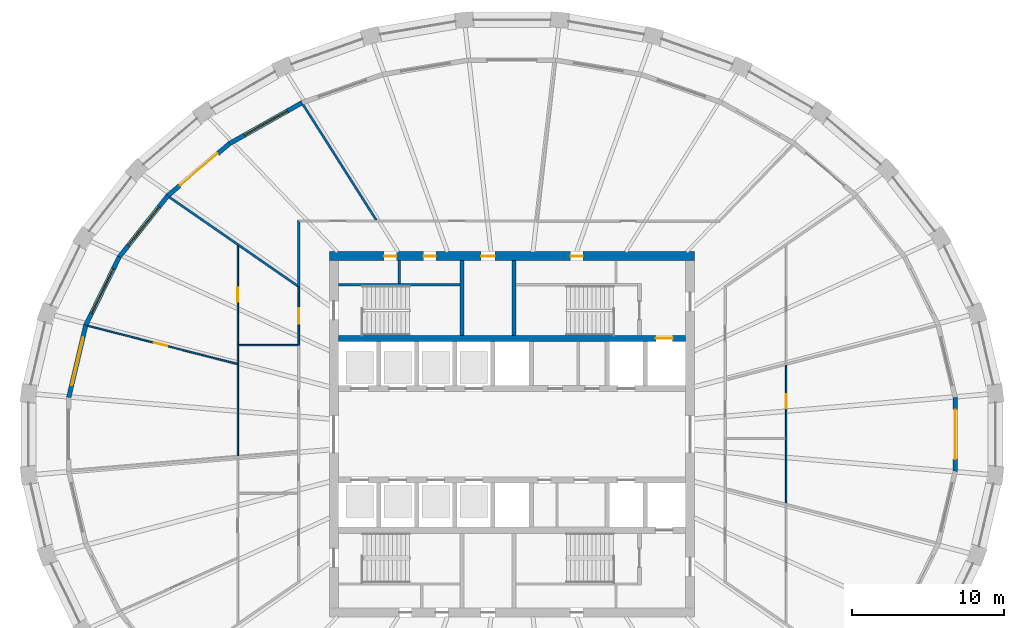
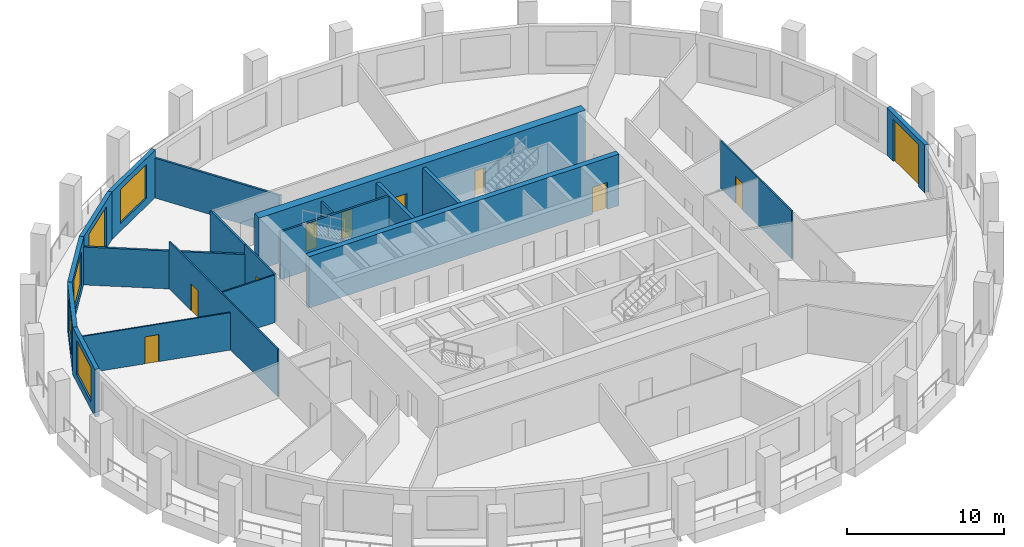
# One storey, part 6 of 11: 20 walls, 11 doors, 4 windows, 15 openings.
"""IFC4 building model written with IfcOpenShell, lengths in metres."""

from ifc_helpers import new_model, si_unit, direction, frame, frame_2d, origin, place, context, subcontext, project, spatial, polyline, rectangle, outline, extrude, material, layer, layer_set, type_object, element, fill, save


model = new_model("IFC4")

# Units and contexts
model_context = context("Model", 3, precision=1e-05, world=origin(), true_north=direction((0.0, 1.0)))
body_context = subcontext(model_context, "Body", "Model", "MODEL_VIEW")
ifc_project = project(units=[si_unit("LENGTHUNIT", "METRE"), si_unit("AREAUNIT", "SQUARE_METRE"), si_unit("VOLUMEUNIT", "CUBIC_METRE"), si_unit("PLANEANGLEUNIT", "RADIAN"), si_unit("MASSUNIT", "GRAM", prefix="KILO")], contexts=[model_context])

# Site, building, storey
site_placement = place(None, origin())
site = spatial("IfcSite", under=ifc_project, at=site_placement, CompositionType="ELEMENT")
building_placement = place(site_placement, origin())
building = spatial("IfcBuilding", under=site, at=building_placement, Name="Halqa Exchange Tower", CompositionType="ELEMENT")
storey_placement = place(building_placement, frame((0.0, 0.0, 214.89990234375)))
storey = spatial("IfcBuildingStorey", under=building, at=storey_placement, Name="L49", CompositionType="ELEMENT", Elevation=214.89990234375)

# Walls
ifc_material_1 = material(Name="Fire-rated gypsum board")
ifc_layer_1 = layer(ifc_material_1, 0.14990234375)
ifc_layer_set_1 = layer_set([ifc_layer_1], Name="Fire-rated gypsum board")
wall_type_1 = type_object("IfcWallType", Name="Fire partition EI 60 150", PredefinedType="PARTITIONING", material=ifc_layer_set_1)
wall_1_placement = place(storey_placement, frame((-22.493896484375, 15.569580078125, 0.0), z_axis=(0.0, 0.0, 1.0), x_axis=(0.822227997751, -0.569158255421, 0.0)))
element("IfcWall", 1, at=wall_1_placement, inside=storey, type_object=wall_type_1, Name="L49-PWL-002", PredefinedType="PARTITIONING", context=body_context, shape_type="SweptSolid", body=[
    extrude(outline(polyline([(0.0, -0.074951171875), (1.858154296875, -0.074951171875), (3.716552734375, -0.074951171875), (5.57470703125, -0.074951171875), (5.5771484375, -0.073486328125), (5.578125, -0.074951171875), (7.1552734375, -0.074951171875), (8.732177734375, -0.074951171875), (10.30908203125, -0.074951171875), (10.30908203125, -0.07470703125), (10.281005859375, -0.0341796875), (10.2685546875, -0.042724609375), (10.240234375, -0.001708984375), (10.240234375, -0.001708984375), (10.187255859375, 0.074951171875), (8.493408203125, 0.074951171875), (6.7998046875, 0.074951171875), (5.10595703125, 0.074951171875), (3.412109375, 0.074951171875), (1.718505859375, 0.074951171875), (0.024658203125, 0.074951171875), (0.00439453125, -0.000244140625), (0.0, -0.06640625), (0.0, -0.074951171875)])), origin(), (0.0, 0.0, 1.0), 2.947021484375),
])
wall_2_placement = place(storey_placement, frame((-14.0, 9.68994140625, 0.0), z_axis=(0.0, 0.0, 1.0), x_axis=(0.0, 1.0, 0.0)))
element("IfcWall", 2, at=wall_2_placement, inside=storey, type_object=wall_type_1, Name="L49-PWL-015", PredefinedType="PARTITIONING", context=body_context, shape_type="SweptSolid", body=[
    extrude(outline(polyline([(0.0, -0.074951171875), (1.41162109375, -0.074951171875), (2.823486328125, -0.074951171875), (4.235107421875, -0.074951171875), (4.385009765625, 0.074951171875), (2.92333984375, 0.074951171875), (1.461669921875, 0.074951171875), (0.0, 0.074951171875), (0.0, -0.074951171875)])), origin(), (0.0, 0.0, 1.0), 3.7001953125),
])
wall_3_placement = place(storey_placement, frame((-8.89208984375, 14.034912109375, 0.0), z_axis=(0.0, 0.0, 1.0), x_axis=(-0.535558051622, 0.84449841524, 0.0)))
element("IfcWall", 3, at=wall_3_placement, inside=storey, type_object=wall_type_1, Name="L49-PWL-018", PredefinedType="PARTITIONING", context=body_context, shape_type="SweptSolid", body=[
    extrude(outline(polyline([(0.0, -0.074951171875), (1.7978515625, -0.074951171875), (3.595458984375, -0.074951171875), (5.393310546875, -0.074951171875), (7.19091796875, -0.074951171875), (8.98876953125, -0.074951171875), (9.006103515625, -0.00048828125), (9.009765625, 0.069091796875), (9.009765625, 0.074951171875), (7.226806640625, 0.074951171875), (5.44384765625, 0.074951171875), (3.660888671875, 0.074951171875), (1.8779296875, 0.074951171875), (0.094970703125, 0.074951171875), (0.0, -0.074951171875), (0.0, -0.074951171875)])), origin(), (0.0, 0.0, 1.0), 3.10009765625),
])

# Wall, opening, door
ifc_material_2 = material(Name="Fire-rated glazing", Category="glass")
ifc_layer_2 = layer(ifc_material_2, 0.1201171875)
ifc_layer_set_2 = layer_set([ifc_layer_2], Name="Fire-rated glazing")
wall_type_2 = type_object("IfcWallType", Name="Glazed fire partition EI 60 120", PredefinedType="PARTITIONING", material=ifc_layer_set_2)
wall_4_placement = place(storey_placement, frame((-14.0, 5.860107421875, 0.0), z_axis=(0.0, 0.0, 1.0), x_axis=(0.0, 1.0, 0.0)))
wall_4 = element("IfcWall", 4, at=wall_4_placement, inside=storey, type_object=wall_type_2, Name="L49-PWL-014", PredefinedType="PARTITIONING", context=body_context, shape_type="SweptSolid", body=[
    extrude(rectangle(XDim=3.829833984375, YDim=0.1201171875, at=frame_2d((1.9150390625, 0.0))), origin(), (0.0, 0.0, 1.0), 3.7001953125),
])
opening_1_placement = place(wall_4_placement, frame((1.4150390625, 0.0, 0.0)))
opening_1 = element("IfcOpeningElement", 5, at=opening_1_placement, cuts=wall_4, Name="Opening 15-04", PredefinedType="OPENING", context=body_context, shape_type="SweptSolid", body=[
    extrude(rectangle(XDim=1.0, YDim=2.10009765625, at=frame_2d((0.5, 1.050048828125))), frame((0.0, 0.072021484375, 0.0), z_axis=(0.0, -1.0, 0.0), x_axis=(1.0, 0.0, 0.0)), (0.0, 0.0, 1.0), 0.14404296875),
])
ifc_material_3 = material(Name="Steel fire door leaf", Category="steel")
door_type_1 = type_object("IfcDoorType", Name="Fire door FD30S 1000 x 2100", OperationType="SINGLE_SWING_LEFT", PredefinedType="DOOR", material=ifc_material_3)
door_1_placement = place(opening_1_placement, origin())
door_1 = element("IfcDoor", 6, at=door_1_placement, inside=storey, type_object=door_type_1, Name="L49-IDR-004", OperationType="SINGLE_SWING_LEFT", OverallHeight=2.10009765625, OverallWidth=1.0, PredefinedType="DOOR", context=body_context, shape_type="SweptSolid", body=[
    extrude(rectangle(XDim=1.0, YDim=2.10009765625, at=frame_2d((0.5, 1.050048828125))), frame((0.0, 0.02490234375, 0.0), z_axis=(0.0, -1.0, 0.0), x_axis=(1.0, 0.0, 0.0)), (0.0, 0.0, 1.0), 0.050048828125),
])
fill(opening_1, door_1)

ifc_material_4 = material(Name="Gypsum board")
ifc_layer_3 = layer(ifc_material_4, 0.10009765625)
ifc_layer_set_3 = layer_set([ifc_layer_3], Name="Gypsum board")
wall_type_3 = type_object("IfcWallType", Name="Partition 100 gypsum", PredefinedType="PARTITIONING", material=ifc_layer_set_3)
wall_5_placement = place(storey_placement, frame((-18.0, -1.41845703125, 0.0), z_axis=(0.0, 0.0, 1.0), x_axis=(0.0, 1.0, 0.0)))
wall_5 = element("IfcWall", 7, at=wall_5_placement, inside=storey, type_object=wall_type_3, Name="L49-PWL-008", PredefinedType="PARTITIONING", context=body_context, shape_type="SweptSolid", body=[
    extrude(outline(polyline([(0.0078125, -0.050048828125), (1.81298828125, -0.050048828125), (3.6181640625, -0.050048828125), (5.42333984375, -0.050048828125), (7.228515625, -0.050048828125), (7.228515625, -0.050048828125), (7.328369140625, -0.050048828125), (7.328369140625, -0.050048828125), (8.934326171875, -0.050048828125), (10.5400390625, -0.050048828125), (12.145751953125, -0.050048828125), (13.75146484375, -0.050048828125), (13.820556640625, 0.0498046875), (13.820556640625, 0.050048828125), (11.888671875, 0.050048828125), (9.956787109375, 0.050048828125), (8.024658203125, 0.050048828125), (6.0927734375, 0.050048828125), (6.09228515625, 0.048095703125), (6.085205078125, 0.050048828125), (4.563720703125, 0.050048828125), (3.04248046875, 0.050048828125), (1.521240234375, 0.050048828125), (0.0, 0.050048828125), (0.0, 0.044677734375), (0.0078125, -0.050048828125)])), origin(), (0.0, 0.0, 1.0), 3.7001953125),
])
opening_2_placement = place(wall_5_placement, frame((10.12841796875, 0.0, 0.0)))
opening_2 = element("IfcOpeningElement", 8, at=opening_2_placement, cuts=wall_5, Name="Opening 15-15", PredefinedType="OPENING", context=body_context, shape_type="SweptSolid", body=[
    extrude(rectangle(XDim=0.89990234375, YDim=2.10009765625, at=frame_2d((0.449951171875, 1.050048828125))), frame((0.0, 0.06201171875, 0.0), z_axis=(0.0, -1.0, 0.0), x_axis=(1.0, 0.0, 0.0)), (0.0, 0.0, 1.0), 0.1240234375),
])
ifc_material_5 = material(Name="Timber door leaf", Category="wood")
door_type_2 = type_object("IfcDoorType", Name="Door 900 x 2100", OperationType="SINGLE_SWING_LEFT", PredefinedType="DOOR", material=ifc_material_5)
door_2_placement = place(opening_2_placement, frame((0.89990234375, 0.0, 0.0), z_axis=(0.0, 0.0, 1.0), x_axis=(-1.0, 0.0, 0.0)))
door_2 = element("IfcDoor", 9, at=door_2_placement, inside=storey, type_object=door_type_2, Name="L49-IDR-015", OperationType="SINGLE_SWING_LEFT", OverallHeight=2.10009765625, OverallWidth=0.89990234375, PredefinedType="DOOR", context=body_context, shape_type="SweptSolid", body=[
    extrude(rectangle(XDim=0.89990234375, YDim=2.10009765625, at=frame_2d((0.449951171875, 1.050048828125))), frame((0.0, 0.02490234375, 0.0), z_axis=(0.0, -1.0, 0.0), x_axis=(1.0, 0.0, 0.0)), (0.0, 0.0, 1.0), 0.050048828125),
])
fill(opening_2, door_2)

wall_6_placement = place(storey_placement, frame((-18.037841796875, 4.61962890625, 0.0), z_axis=(0.0, 0.0, 1.0), x_axis=(-0.96889210833, 0.247483499279, 0.0)))
wall_6 = element("IfcWall", 10, at=wall_6_placement, inside=storey, type_object=wall_type_3, Name="L49-PWL-009", PredefinedType="PARTITIONING", context=body_context, shape_type="SweptSolid", body=[
    extrude(outline(polyline([(0.025390625, -0.050048828125), (1.705810546875, -0.050048828125), (3.38623046875, -0.050048828125), (5.066650390625, -0.050048828125), (6.7470703125, -0.050048828125), (8.427490234375, -0.050048828125), (10.10791015625, -0.050048828125), (10.117431640625, -0.005126953125), (10.117431640625, 0.050048828125), (8.43115234375, 0.050048828125), (6.744873046875, 0.050048828125), (5.05859375, 0.050048828125), (3.37255859375, 0.050048828125), (1.686279296875, 0.050048828125), (0.0, 0.050048828125), (0.0, 0.049072265625), (0.025390625, -0.050048828125)])), origin(), (0.0, 0.0, 1.0), 2.91015625),
])
opening_3_placement = place(wall_6_placement, frame((4.743896484375, 0.0, 0.0)))
opening_3 = element("IfcOpeningElement", 11, at=opening_3_placement, cuts=wall_6, Name="Opening 15-16", PredefinedType="OPENING", context=body_context, shape_type="SweptSolid", body=[
    extrude(rectangle(XDim=0.89990234375, YDim=2.10009765625, at=frame_2d((0.449951171875, 1.050048828125))), frame((0.0, 0.06201171875, 0.0), z_axis=(0.0, -1.0, 0.0), x_axis=(1.0, 0.0, 0.0)), (0.0, 0.0, 1.0), 0.1240234375),
])
door_3_placement = place(opening_3_placement, frame((0.89990234375, 0.0, 0.0), z_axis=(0.0, 0.0, 1.0), x_axis=(-1.0, 0.0, 0.0)))
door_3 = element("IfcDoor", 12, at=door_3_placement, inside=storey, type_object=door_type_2, Name="L49-IDR-016", OperationType="SINGLE_SWING_LEFT", OverallHeight=2.10009765625, OverallWidth=0.89990234375, PredefinedType="DOOR", context=body_context, shape_type="SweptSolid", body=[
    extrude(rectangle(XDim=0.89990234375, YDim=2.10009765625, at=frame_2d((0.449951171875, 1.050048828125))), frame((0.0, 0.02490234375, 0.0), z_axis=(0.0, -1.0, 0.0), x_axis=(1.0, 0.0, 0.0)), (0.0, 0.0, 1.0), 0.050048828125),
])
fill(opening_3, door_3)

# Wall
wall_7_placement = place(storey_placement, frame((-14.060546875, 5.860107421875, 0.0), z_axis=(0.0, 0.0, 1.0), x_axis=(-1.0, 0.0, 0.0)))
element("IfcWall", 13, at=wall_7_placement, inside=storey, type_object=wall_type_3, Name="L49-PWL-013", PredefinedType="PARTITIONING", context=body_context, shape_type="SweptSolid", body=[
    extrude(outline(polyline([(3.889404296875, 0.050048828125), (1.951904296875, 0.050048828125), (0.014404296875, 0.050048828125), (0.014404296875, 0.0), (0.0, 0.0), (0.0, -0.050048828125), (1.94482421875, -0.050048828125), (3.889404296875, -0.050048828125), (3.889404296875, 0.050048828125)])), origin(), (0.0, 0.0, 1.0), 3.7001953125),
])

# Wall, opening, door
wall_8_placement = place(storey_placement, frame((18.0, -4.534912109375, 0.0), z_axis=(0.0, 0.0, 1.0), x_axis=(0.0, 1.0, 0.0)))
wall_8 = element("IfcWall", 14, at=wall_8_placement, inside=storey, type_object=wall_type_3, Name="L49-PWL-036", PredefinedType="PARTITIONING", context=body_context, shape_type="SweptSolid", body=[
    extrude(outline(polyline([(9.079833984375, -0.050048828125), (9.079833984375, -0.04833984375), (9.059814453125, 0.02978515625), (9.079833984375, 0.034912109375), (9.079833984375, 0.036376953125), (9.050048828125, 0.02880859375), (9.044677734375, 0.050048828125), (7.471435546875, 0.050048828125), (5.898193359375, 0.050048828125), (4.324951171875, 0.050048828125), (4.324951171875, 0.050048828125), (4.224853515625, 0.050048828125), (4.224853515625, 0.050048828125), (2.824951171875, 0.050048828125), (1.425048828125, 0.050048828125), (0.025146484375, 0.050048828125), (0.0, -0.04833984375), (0.0, -0.050048828125), (1.81591796875, -0.050048828125), (3.6318359375, -0.050048828125), (5.447998046875, -0.050048828125), (7.263916015625, -0.050048828125), (9.079833984375, -0.050048828125)])), origin(), (0.0, 0.0, 1.0), 3.7001953125),
])
opening_4_placement = place(wall_8_placement, frame((6.2548828125, 0.0, 0.0)))
opening_4 = element("IfcOpeningElement", 15, at=opening_4_placement, cuts=wall_8, Name="Opening 15-21", PredefinedType="OPENING", context=body_context, shape_type="SweptSolid", body=[
    extrude(rectangle(XDim=0.89990234375, YDim=2.10009765625, at=frame_2d((0.449951171875, 1.050048828125))), frame((0.0, 0.06201171875, 0.0), z_axis=(0.0, -1.0, 0.0), x_axis=(1.0, 0.0, 0.0)), (0.0, 0.0, 1.0), 0.1240234375),
])
door_4_placement = place(opening_4_placement, origin())
door_4 = element("IfcDoor", 16, at=door_4_placement, inside=storey, type_object=door_type_2, Name="L49-IDR-021", OperationType="SINGLE_SWING_RIGHT", OverallHeight=2.10009765625, OverallWidth=0.89990234375, PredefinedType="DOOR", context=body_context, shape_type="SweptSolid", body=[
    extrude(rectangle(XDim=0.89990234375, YDim=2.10009765625, at=frame_2d((0.449951171875, 1.050048828125))), frame((0.0, 0.02490234375, 0.0), z_axis=(0.0, -1.0, 0.0), x_axis=(1.0, 0.0, 0.0)), (0.0, 0.0, 1.0), 0.050048828125),
])
fill(opening_4, door_4)

# Wall
ifc_layer_4 = layer(ifc_material_4, 0.14990234375)
ifc_layer_set_4 = layer_set([ifc_layer_4], Name="Gypsum board")
wall_type_4 = type_object("IfcWallType", Name="Penthouse riser wall 150 gypsum", PredefinedType="PARTITIONING", material=ifc_layer_set_4)
wall_9_placement = place(storey_placement, frame((-7.39990234375, 9.89990234375, 0.0), z_axis=(0.0, 0.0, 1.0), x_axis=(0.0, 1.0, 0.0)))
element("IfcWall", 17, at=wall_9_placement, inside=storey, type_object=wall_type_4, Name="Partition W7.400 N", PredefinedType="PARTITIONING", context=body_context, shape_type="SweptSolid", body=[
    extrude(rectangle(XDim=1.5, YDim=0.14990234375, at=frame_2d((0.75, 0.0))), origin(), (0.0, 0.0, 1.0), 3.7001953125),
])

# Wall, opening, door
ifc_material_6 = material(Name="Concrete C70/85", Category="concrete")
ifc_layer_5 = layer(ifc_material_6, 0.39990234375)
ifc_layer_set_5 = layer_set([ifc_layer_5], Name="Concrete C70/85")
wall_type_5 = type_object("IfcWallType", Name="RC core wall 400 C70/85", PredefinedType="SHEAR", material=ifc_layer_set_5)
wall_10_placement = place(storey_placement, frame((-11.39990234375, 6.300048828125, 0.0), z_axis=(0.0, 0.0, 1.0), x_axis=(1.0, 0.0, 0.0)))
wall_10 = element("IfcWall", 18, at=wall_10_placement, inside=storey, type_object=wall_type_5, Name="Lift row back wall N", PredefinedType="SHEAR", context=body_context, shape_type="SweptSolid", body=[
    extrude(rectangle(XDim=22.7998046875, YDim=0.39990234375, at=frame_2d((11.39990234375, 0.0))), origin(), (0.0, 0.0, 1.0), 4.0),
])
opening_5_placement = place(wall_10_placement, frame((20.85009765625, 0.0, 0.0)))
opening_5 = element("IfcOpeningElement", 19, at=opening_5_placement, cuts=wall_10, Name="Opening LD-FF1-T15", PredefinedType="OPENING", context=body_context, shape_type="SweptSolid", body=[
    extrude(rectangle(XDim=1.10009765625, YDim=2.10009765625, at=frame_2d((0.550048828125, 1.050048828125))), frame((0.0, 0.2119140625, 0.0), z_axis=(0.0, -1.0, 0.0), x_axis=(1.0, 0.0, 0.0)), (0.0, 0.0, 1.0), 0.423828125),
])
ifc_material_7 = material(Name="Stainless steel", Category="steel")
door_type_3 = type_object("IfcDoorType", Name="Lift landing door 1100 x 2100", OperationType="SLIDING_TO_LEFT", PredefinedType="DOOR", material=ifc_material_7)
door_5_placement = place(opening_5_placement, origin())
door_5 = element("IfcDoor", 20, at=door_5_placement, inside=storey, type_object=door_type_3, Name="Lift landing door FF1", OperationType="SLIDING_TO_LEFT", OverallHeight=2.10009765625, OverallWidth=1.10009765625, PredefinedType="DOOR", context=body_context, shape_type="SweptSolid", body=[
    extrude(rectangle(XDim=1.10009765625, YDim=2.10009765625, at=frame_2d((0.550048828125, 1.050048828125))), frame((0.0, 0.02490234375, 0.0), z_axis=(0.0, -1.0, 0.0), x_axis=(1.0, 0.0, 0.0)), (0.0, 0.0, 1.0), 0.050048828125),
])
fill(opening_5, door_5)

# Wall, openings, doors
ifc_layer_6 = layer(ifc_material_6, 0.60009765625)
ifc_layer_set_6 = layer_set([ifc_layer_6], Name="Concrete C70/85")
wall_type_6 = type_object("IfcWallType", Name="RC core wall 600 C70/85", PredefinedType="SHEAR", material=ifc_layer_set_6)
wall_11_placement = place(storey_placement, frame((-12.0, 11.699951171875, 0.0), z_axis=(0.0, 0.0, 1.0), x_axis=(1.0, 0.0, 0.0)))
wall_11 = element("IfcWall", 21, at=wall_11_placement, inside=storey, type_object=wall_type_6, Name="Core wall north", PredefinedType="SHEAR", context=body_context, shape_type="SweptSolid", body=[
    extrude(rectangle(XDim=24.0, YDim=0.60009765625, at=frame_2d((12.0, 0.0))), origin(), (0.0, 0.0, 1.0), 4.0),
])
opening_6_placement = place(wall_11_placement, frame((9.97509765625, 0.0, 0.0)))
opening_6 = element("IfcOpeningElement", 22, at=opening_6_placement, cuts=wall_11, Name="Opening T15-C21", PredefinedType="OPENING", context=body_context, shape_type="SweptSolid", body=[
    extrude(rectangle(XDim=0.89990234375, YDim=2.10009765625, at=frame_2d((0.449951171875, 1.050048828125))), frame((0.0, 0.31201171875, 0.0), z_axis=(0.0, -1.0, 0.0), x_axis=(1.0, 0.0, 0.0)), (0.0, 0.0, 1.0), 0.6240234375),
])
opening_7_placement = place(wall_11_placement, frame((3.60009765625, 0.0, 0.0)))
opening_7 = element("IfcOpeningElement", 23, at=opening_7_placement, cuts=wall_11, Name="Opening T15-C22", PredefinedType="OPENING", context=body_context, shape_type="SweptSolid", body=[
    extrude(rectangle(XDim=0.800048828125, YDim=2.10009765625, at=frame_2d((0.39990234375, 1.050048828125))), frame((0.0, 0.31201171875, 0.0), z_axis=(0.0, -1.0, 0.0), x_axis=(1.0, 0.0, 0.0)), (0.0, 0.0, 1.0), 0.6240234375),
])
opening_8_placement = place(wall_11_placement, frame((6.199951171875, 0.0, 0.0)))
opening_8 = element("IfcOpeningElement", 24, at=opening_8_placement, cuts=wall_11, Name="Opening T15-C23", PredefinedType="OPENING", context=body_context, shape_type="SweptSolid", body=[
    extrude(rectangle(XDim=0.800048828125, YDim=2.10009765625, at=frame_2d((0.39990234375, 1.050048828125))), frame((0.0, 0.31201171875, 0.0), z_axis=(0.0, -1.0, 0.0), x_axis=(1.0, 0.0, 0.0)), (0.0, 0.0, 1.0), 0.6240234375),
])
opening_9_placement = place(wall_11_placement, frame((15.85009765625, 0.0, 0.0)))
opening_9 = element("IfcOpeningElement", 25, at=opening_9_placement, cuts=wall_11, Name="Opening T15-C24", PredefinedType="OPENING", context=body_context, shape_type="SweptSolid", body=[
    extrude(rectangle(XDim=0.800048828125, YDim=2.10009765625, at=frame_2d((0.39990234375, 1.050048828125))), frame((0.0, 0.31201171875, 0.0), z_axis=(0.0, -1.0, 0.0), x_axis=(1.0, 0.0, 0.0)), (0.0, 0.0, 1.0), 0.6240234375),
])
ifc_material_8 = material(Name="Timber fire door leaf", Category="wood")
door_type_4 = type_object("IfcDoorType", Name="Core room door FD30 900 x 2100", OperationType="SINGLE_SWING_LEFT", PredefinedType="DOOR", material=ifc_material_8)
door_6_placement = place(opening_6_placement, frame((0.89990234375, 0.0, 0.0), z_axis=(0.0, 0.0, 1.0), x_axis=(-1.0, 0.0, 0.0)))
door_6 = element("IfcDoor", 26, at=door_6_placement, inside=storey, type_object=door_type_4, Name="Core room door", OperationType="SINGLE_SWING_RIGHT", OverallHeight=2.10009765625, OverallWidth=0.89990234375, PredefinedType="DOOR", context=body_context, shape_type="SweptSolid", body=[
    extrude(rectangle(XDim=0.89990234375, YDim=2.10009765625, at=frame_2d((0.449951171875, 1.050048828125))), frame((0.0, 0.02490234375, 0.0), z_axis=(0.0, -1.0, 0.0), x_axis=(1.0, 0.0, 0.0)), (0.0, 0.0, 1.0), 0.050048828125),
])
fill(opening_6, door_6)
door_type_5 = type_object("IfcDoorType", Name="Riser door FD60 800 x 2100", OperationType="SINGLE_SWING_LEFT", PredefinedType="DOOR", material=ifc_material_3)
door_7_placement = place(opening_7_placement, frame((0.800048828125, 0.0, 0.0), z_axis=(0.0, 0.0, 1.0), x_axis=(-1.0, 0.0, 0.0)))
door_7 = element("IfcDoor", 27, at=door_7_placement, inside=storey, type_object=door_type_5, Name="Core room door", OperationType="SINGLE_SWING_RIGHT", OverallHeight=2.10009765625, OverallWidth=0.800048828125, PredefinedType="DOOR", context=body_context, shape_type="SweptSolid", body=[
    extrude(rectangle(XDim=0.800048828125, YDim=2.10009765625, at=frame_2d((0.39990234375, 1.050048828125))), frame((0.0, 0.02490234375, 0.0), z_axis=(0.0, -1.0, 0.0), x_axis=(1.0, 0.0, 0.0)), (0.0, 0.0, 1.0), 0.050048828125),
])
fill(opening_7, door_7)
door_8_placement = place(opening_8_placement, frame((0.800048828125, 0.0, 0.0), z_axis=(0.0, 0.0, 1.0), x_axis=(-1.0, 0.0, 0.0)))
door_8 = element("IfcDoor", 28, at=door_8_placement, inside=storey, type_object=door_type_5, Name="Core room door", OperationType="SINGLE_SWING_RIGHT", OverallHeight=2.10009765625, OverallWidth=0.800048828125, PredefinedType="DOOR", context=body_context, shape_type="SweptSolid", body=[
    extrude(rectangle(XDim=0.800048828125, YDim=2.10009765625, at=frame_2d((0.39990234375, 1.050048828125))), frame((0.0, 0.02490234375, 0.0), z_axis=(0.0, -1.0, 0.0), x_axis=(1.0, 0.0, 0.0)), (0.0, 0.0, 1.0), 0.050048828125),
])
fill(opening_8, door_8)
door_9_placement = place(opening_9_placement, frame((0.800048828125, 0.0, 0.0), z_axis=(0.0, 0.0, 1.0), x_axis=(-1.0, 0.0, 0.0)))
door_9 = element("IfcDoor", 29, at=door_9_placement, inside=storey, type_object=door_type_5, Name="Core room door", OperationType="SINGLE_SWING_RIGHT", OverallHeight=2.10009765625, OverallWidth=0.800048828125, PredefinedType="DOOR", context=body_context, shape_type="SweptSolid", body=[
    extrude(rectangle(XDim=0.800048828125, YDim=2.10009765625, at=frame_2d((0.39990234375, 1.050048828125))), frame((0.0, 0.02490234375, 0.0), z_axis=(0.0, -1.0, 0.0), x_axis=(1.0, 0.0, 0.0)), (0.0, 0.0, 1.0), 0.050048828125),
])
fill(opening_9, door_9)

# Walls
ifc_material_9 = material(Name="Concrete C30/37", Category="concrete")
ifc_layer_7 = layer(ifc_material_9, 0.14990234375)
ifc_layer_set_7 = layer_set([ifc_layer_7], Name="Concrete C30/37")
wall_type_7 = type_object("IfcWallType", Name="RC stair wall 150 C30/37", PredefinedType="SHEAR", material=ifc_layer_set_7)
wall_12_placement = place(storey_placement, frame((-11.39990234375, 9.824951171875, 0.0), z_axis=(0.0, 0.0, 1.0), x_axis=(1.0, 0.0, 0.0)))
element("IfcWall", 30, at=wall_12_placement, inside=storey, type_object=wall_type_7, Name="Stair ST1 north wall N", PredefinedType="SHEAR", context=body_context, shape_type="SweptSolid", body=[
    extrude(rectangle(XDim=8.0, YDim=0.14990234375, at=frame_2d((4.0, 0.0))), origin(), (0.0, 0.0, 1.0), 3.7001953125),
])
ifc_layer_8 = layer(ifc_material_9, 0.25)
ifc_layer_set_8 = layer_set([ifc_layer_8], Name="Concrete C30/37")
wall_type_8 = type_object("IfcWallType", Name="RC stair wall 250 C30/37", PredefinedType="SHEAR", material=ifc_layer_set_8)
for number, where, z_axis, x_axis, name in (
    (31, (-3.27490234375, 6.5, 0.0), (0.0, 0.0, 1.0), (0.0, 1.0, 0.0), "Stair ST1 east wall N"),
    (32, (0.125, 6.5, 0.0), (0.0, 0.0, 1.0), (0.0, 1.0, 0.0), "Stair ST2 west wall N"),
):
    element("IfcWall", number, at=place(storey_placement, frame(where, z_axis=z_axis, x_axis=x_axis)), inside=storey, type_object=wall_type_8, Name=name, PredefinedType="SHEAR", context=body_context, shape_type="SweptSolid", body=[
        extrude(rectangle(XDim=4.89990234375, YDim=0.25, at=frame_2d((2.449951171875, 0.0))), origin(), (0.0, 0.0, 1.0), 3.7001953125),
    ])

# Wall, opening, window
ifc_material_10 = material(Name="Limestone cladding", Category="masonry")
ifc_layer_9 = layer(ifc_material_10, 0.0400390625)
ifc_material_11 = material(Name="Ventilated cavity")
ifc_layer_10 = layer(ifc_material_11, 0.030029296875, ventilated=True)
ifc_material_12 = material(Name="Mineral wool insulation")
ifc_layer_11 = layer(ifc_material_12, 0.10009765625)
ifc_layer_12 = layer(ifc_material_9, 0.10009765625)
ifc_material_13 = material(Name="Internal plaster")
ifc_layer_13 = layer(ifc_material_13, 0.030029296875)
ifc_layer_set_9 = layer_set([ifc_layer_9, ifc_layer_10, ifc_layer_11, ifc_layer_12, ifc_layer_13], Name="Stone-faced insulated wall 300")
wall_type_9 = type_object("IfcWallType", Name="Stone-faced insulated wall 300", PredefinedType="STANDARD", material=ifc_layer_set_9)
wall_13_placement = place(storey_placement, frame((-13.777099609375, 21.778076171875, 0.0), z_axis=(0.0, 0.0, 1.0), x_axis=(-0.871207038577, -0.490915772749, 0.0)))
wall_13 = element("IfcWall", 33, at=wall_13_placement, inside=storey, type_object=wall_type_9, Name="Glass-line wall 11", PredefinedType="STANDARD", context=body_context, shape_type="SweptSolid", body=[
    extrude(outline(polyline([(-0.013427734375, -0.14990234375), (5.485107421875, -0.14990234375), (5.456787109375, 0.14990234375), (0.013427734375, 0.14990234375), (-0.013427734375, -0.14990234375)])), origin(), (0.0, 0.0, 1.0), 3.7001953125),
])
opening_10_placement = place(wall_13_placement, frame((1.110595703125, 0.0, 0.60009765625)))
opening_10 = element("IfcOpeningElement", 34, at=opening_10_placement, cuts=wall_13, Name="Opening W-F3-11", PredefinedType="OPENING", context=body_context, shape_type="SweptSolid", body=[
    extrude(rectangle(XDim=3.25, YDim=2.64990234375, at=frame_2d((1.625, 1.324951171875))), frame((0.0, 0.162109375, 0.0), z_axis=(0.0, -1.0, 0.0), x_axis=(1.0, 0.0, 0.0)), (0.0, 0.0, 1.0), 0.323974609375),
])
ifc_material_14 = material(Name="Clear low-emissivity glass in aluminium frame", Category="aluminium")
window_type = type_object("IfcWindowType", Name="Fixed clear glazed window 3250 x 2650", PartitioningType="TRIPLE_PANEL_VERTICAL", PredefinedType="WINDOW", material=ifc_material_14)
window_1_placement = place(opening_10_placement, origin())
window_1 = element("IfcWindow", 35, at=window_1_placement, inside=storey, type_object=window_type, Name="Window 3", OverallHeight=2.64990234375, OverallWidth=3.25, PartitioningType="TRIPLE_PANEL_VERTICAL", PredefinedType="WINDOW", context=body_context, shape_type="SweptSolid", body=[
    extrude(rectangle(XDim=3.25, YDim=2.64990234375, at=frame_2d((1.625, 1.324951171875))), frame((0.0, 0.030029296875, 0.0), z_axis=(0.0, -1.0, 0.0), x_axis=(1.0, 0.0, 0.0)), (0.0, 0.0, 1.0), 0.06005859375),
])
fill(opening_10, window_1)

# Wall, opening, door
wall_14_placement = place(storey_placement, frame((-18.54345703125, 19.09228515625, 0.0), z_axis=(0.0, 0.0, 1.0), x_axis=(-0.764397795062, -0.644744919255, 0.0)))
wall_14 = element("IfcWall", 36, at=wall_14_placement, inside=storey, type_object=wall_type_9, Name="Glass-line wall 12", PredefinedType="STANDARD", context=body_context, shape_type="SweptSolid", body=[
    extrude(outline(polyline([(-0.01416015625, -0.14990234375), (5.3203125, -0.14990234375), (5.2900390625, 0.14990234375), (0.01416015625, 0.14990234375), (-0.01416015625, -0.14990234375)])), origin(), (0.0, 0.0, 1.0), 3.7001953125),
])
opening_11_placement = place(wall_14_placement, frame((1.027587890625, 0.0, 0.0)))
opening_11 = element("IfcOpeningElement", 37, at=opening_11_placement, cuts=wall_14, Name="Opening LG-F3-03", PredefinedType="OPENING", context=body_context, shape_type="SweptSolid", body=[
    extrude(rectangle(XDim=3.25, YDim=3.25, at=frame_2d((1.625, 1.625))), frame((0.0, 0.162109375, 0.0), z_axis=(0.0, -1.0, 0.0), x_axis=(1.0, 0.0, 0.0)), (0.0, 0.0, 1.0), 0.323974609375),
])
door_type_6 = type_object("IfcDoorType", Name="Glazed sliding loggia door 3250 x 3250", OperationType="DOUBLE_DOOR_SLIDING", PredefinedType="DOOR", material=ifc_material_14)
door_10_placement = place(opening_11_placement, origin())
door_10 = element("IfcDoor", 38, at=door_10_placement, inside=storey, type_object=door_type_6, Name="Loggia door 3", OperationType="DOUBLE_DOOR_SLIDING", OverallHeight=3.25, OverallWidth=3.25, PredefinedType="DOOR", context=body_context, shape_type="SweptSolid", body=[
    extrude(rectangle(XDim=3.25, YDim=3.25, at=frame_2d((1.625, 1.625))), frame((0.0, 0.02490234375, 0.0), z_axis=(0.0, -1.0, 0.0), x_axis=(1.0, 0.0, 0.0)), (0.0, 0.0, 1.0), 0.050048828125),
])
fill(opening_11, door_10)

# Wall, opening, window
wall_15_placement = place(storey_placement, frame((-22.5986328125, 15.671875, 0.0), z_axis=(0.0, 0.0, 1.0), x_axis=(-0.621017151557, -0.783796974651, 0.0)))
wall_15 = element("IfcWall", 39, at=wall_15_placement, inside=storey, type_object=wall_type_9, Name="Glass-line wall 13", PredefinedType="STANDARD", context=body_context, shape_type="SweptSolid", body=[
    extrude(outline(polyline([(-0.01513671875, -0.14990234375), (5.14990234375, -0.14990234375), (5.11767578125, 0.14990234375), (0.01513671875, 0.14990234375), (-0.01513671875, -0.14990234375)])), origin(), (0.0, 0.0, 1.0), 3.7001953125),
])
opening_12_placement = place(wall_15_placement, frame((0.94189453125, 0.0, 0.60009765625)))
opening_12 = element("IfcOpeningElement", 40, at=opening_12_placement, cuts=wall_15, Name="Opening W-F3-13", PredefinedType="OPENING", context=body_context, shape_type="SweptSolid", body=[
    extrude(rectangle(XDim=3.25, YDim=2.64990234375, at=frame_2d((1.625, 1.324951171875))), frame((0.0, 0.162109375, 0.0), z_axis=(0.0, -1.0, 0.0), x_axis=(1.0, 0.0, 0.0)), (0.0, 0.0, 1.0), 0.323974609375),
])
window_2_placement = place(opening_12_placement, origin())
window_2 = element("IfcWindow", 41, at=window_2_placement, inside=storey, type_object=window_type, Name="Window 3", OverallHeight=2.64990234375, OverallWidth=3.25, PartitioningType="TRIPLE_PANEL_VERTICAL", PredefinedType="WINDOW", context=body_context, shape_type="SweptSolid", body=[
    extrude(rectangle(XDim=3.25, YDim=2.64990234375, at=frame_2d((1.625, 1.324951171875))), frame((0.0, 0.030029296875, 0.0), z_axis=(0.0, -1.0, 0.0), x_axis=(1.0, 0.0, 0.0)), (0.0, 0.0, 1.0), 0.06005859375),
])
fill(opening_12, window_2)

wall_16_placement = place(storey_placement, frame((-25.786865234375, 11.64794921875, 0.0), z_axis=(0.0, 0.0, 1.0), x_axis=(-0.440795186599, -0.897607711348, 0.0)))
wall_16 = element("IfcWall", 42, at=wall_16_placement, inside=storey, type_object=wall_type_9, Name="Glass-line wall 14", PredefinedType="STANDARD", context=body_context, shape_type="SweptSolid", body=[
    extrude(outline(polyline([(-0.01611328125, -0.14990234375), (5.0009765625, -0.14990234375), (4.96728515625, 0.14990234375), (0.01611328125, 0.14990234375), (-0.01611328125, -0.14990234375)])), origin(), (0.0, 0.0, 1.0), 3.7001953125),
])
opening_13_placement = place(wall_16_placement, frame((0.8671875, 0.0, 0.60009765625)))
opening_13 = element("IfcOpeningElement", 43, at=opening_13_placement, cuts=wall_16, Name="Opening W-F3-14", PredefinedType="OPENING", context=body_context, shape_type="SweptSolid", body=[
    extrude(rectangle(XDim=3.25, YDim=2.64990234375, at=frame_2d((1.625, 1.324951171875))), frame((0.0, 0.162109375, 0.0), z_axis=(0.0, -1.0, 0.0), x_axis=(1.0, 0.0, 0.0)), (0.0, 0.0, 1.0), 0.323974609375),
])
window_3_placement = place(opening_13_placement, origin())
window_3 = element("IfcWindow", 44, at=window_3_placement, inside=storey, type_object=window_type, Name="Window 3", OverallHeight=2.64990234375, OverallWidth=3.25, PartitioningType="TRIPLE_PANEL_VERTICAL", PredefinedType="WINDOW", context=body_context, shape_type="SweptSolid", body=[
    extrude(rectangle(XDim=3.25, YDim=2.64990234375, at=frame_2d((1.625, 1.324951171875))), frame((0.0, 0.030029296875, 0.0), z_axis=(0.0, -1.0, 0.0), x_axis=(1.0, 0.0, 0.0)), (0.0, 0.0, 1.0), 0.06005859375),
])
fill(opening_13, window_3)

wall_17_placement = place(storey_placement, frame((-27.98388671875, 7.174072265625, 0.0), z_axis=(0.0, 0.0, 1.0), x_axis=(-0.229546618766, -0.97329766763, 0.0)))
wall_17 = element("IfcWall", 45, at=wall_17_placement, inside=storey, type_object=wall_type_9, Name="Glass-line wall 15", PredefinedType="STANDARD", context=body_context, shape_type="SweptSolid", body=[
    extrude(outline(polyline([(-0.016845703125, -0.14990234375), (4.899169921875, -0.14990234375), (4.864501953125, 0.14990234375), (0.016845703125, 0.14990234375), (-0.016845703125, -0.14990234375)])), origin(), (0.0, 0.0, 1.0), 3.7001953125),
])
opening_14_placement = place(wall_17_placement, frame((0.81591796875, 0.0, 0.60009765625)))
opening_14 = element("IfcOpeningElement", 46, at=opening_14_placement, cuts=wall_17, Name="Opening W-F3-15", PredefinedType="OPENING", context=body_context, shape_type="SweptSolid", body=[
    extrude(rectangle(XDim=3.25, YDim=2.64990234375, at=frame_2d((1.625, 1.324951171875))), frame((0.0, 0.162109375, 0.0), z_axis=(0.0, -1.0, 0.0), x_axis=(1.0, 0.0, 0.0)), (0.0, 0.0, 1.0), 0.323974609375),
])
window_4_placement = place(opening_14_placement, origin())
window_4 = element("IfcWindow", 47, at=window_4_placement, inside=storey, type_object=window_type, Name="Window 3", OverallHeight=2.64990234375, OverallWidth=3.25, PartitioningType="TRIPLE_PANEL_VERTICAL", PredefinedType="WINDOW", context=body_context, shape_type="SweptSolid", body=[
    extrude(rectangle(XDim=3.25, YDim=2.64990234375, at=frame_2d((1.625, 1.324951171875))), frame((0.0, 0.030029296875, 0.0), z_axis=(0.0, -1.0, 0.0), x_axis=(1.0, 0.0, 0.0)), (0.0, 0.0, 1.0), 0.06005859375),
])
fill(opening_14, window_4)

# Wall, opening, door
wall_18_placement = place(storey_placement, frame((29.1044921875, -2.422607421875, 0.0), z_axis=(0.0, 0.0, 1.0), x_axis=(0.0, 1.0, 0.0)))
wall_18 = element("IfcWall", 48, at=wall_18_placement, inside=storey, type_object=wall_type_9, Name="Glass-line wall 32", PredefinedType="STANDARD", context=body_context, shape_type="SweptSolid", body=[
    extrude(outline(polyline([(-0.017333984375, -0.14990234375), (4.862548828125, -0.14990234375), (4.827880859375, 0.14990234375), (0.017333984375, 0.14990234375), (-0.017333984375, -0.14990234375)])), origin(), (0.0, 0.0, 1.0), 3.7001953125),
])
opening_15_placement = place(wall_18_placement, frame((0.797607421875, 0.0, 0.0)))
opening_15 = element("IfcOpeningElement", 49, at=opening_15_placement, cuts=wall_18, Name="Opening LG-F3-08", PredefinedType="OPENING", context=body_context, shape_type="SweptSolid", body=[
    extrude(rectangle(XDim=3.25, YDim=3.25, at=frame_2d((1.625, 1.625))), frame((0.0, 0.162109375, 0.0), z_axis=(0.0, -1.0, 0.0), x_axis=(1.0, 0.0, 0.0)), (0.0, 0.0, 1.0), 0.323974609375),
])
door_11_placement = place(opening_15_placement, origin())
door_11 = element("IfcDoor", 50, at=door_11_placement, inside=storey, type_object=door_type_6, Name="Loggia door 8", OperationType="DOUBLE_DOOR_SLIDING", OverallHeight=3.25, OverallWidth=3.25, PredefinedType="DOOR", context=body_context, shape_type="SweptSolid", body=[
    extrude(rectangle(XDim=3.25, YDim=3.25, at=frame_2d((1.625, 1.625))), frame((0.0, 0.02490234375, 0.0), z_axis=(0.0, -1.0, 0.0), x_axis=(1.0, 0.0, 0.0)), (0.0, 0.0, 1.0), 0.050048828125),
])
fill(opening_15, door_11)

save(model, "model.ifc")
